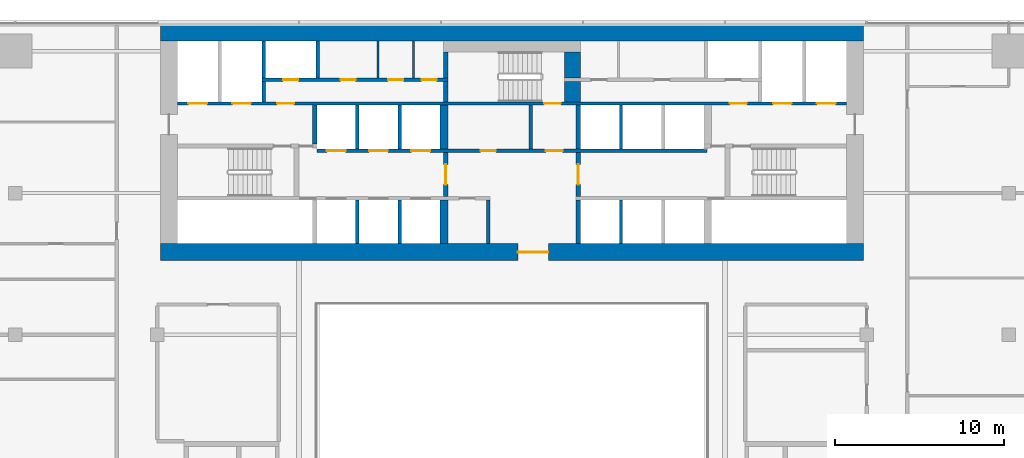
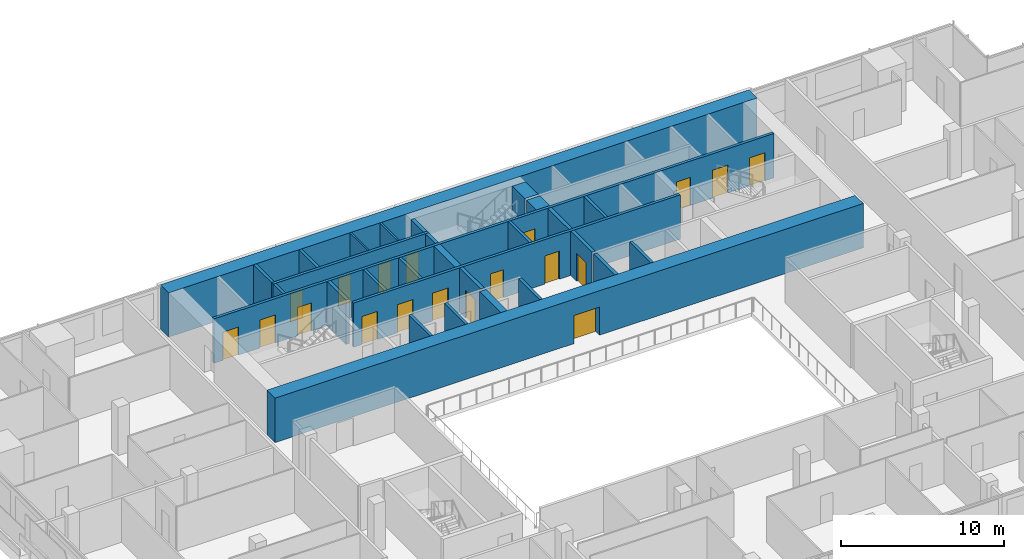
# One storey, part 21 of 27: 29 walls, 19 doors, 19 openings.
"""IFC4 building model written with IfcOpenShell, lengths in metres."""

from ifc_helpers import new_model, si_unit, direction, frame, frame_2d, origin, place, context, subcontext, project, spatial, rectangle, extrude, material, layer, layer_set, type_object, element, fill, save


model = new_model("IFC4")

# Units and contexts
model_context = context("Model", 3, precision=1e-05, world=origin(), true_north=direction((0.0, 1.0)))
body_context = subcontext(model_context, "Body", "Model", "MODEL_VIEW")
ifc_project = project(units=[si_unit("LENGTHUNIT", "METRE"), si_unit("AREAUNIT", "SQUARE_METRE"), si_unit("VOLUMEUNIT", "CUBIC_METRE"), si_unit("PLANEANGLEUNIT", "RADIAN"), si_unit("MASSUNIT", "GRAM", prefix="KILO")], contexts=[model_context])

# Site, building, storey
site_placement = place(None, origin())
site = spatial("IfcSite", under=ifc_project, at=site_placement, CompositionType="ELEMENT")
building_placement = place(site_placement, origin())
building = spatial("IfcBuilding", under=site, at=building_placement, Name="Saffron Gate Tower", CompositionType="ELEMENT")
storey_placement = place(building_placement, frame((0.0, 0.0, 109.64990234375)))
storey = spatial("IfcBuildingStorey", under=building, at=storey_placement, Name="L25", CompositionType="ELEMENT", Elevation=109.64990234375)

# Walls
ifc_material_1 = material(Name="Gypsum board partition on steel studs", Category="steel")
ifc_layer_1 = layer(ifc_material_1, 0.199951171875)
ifc_layer_set_1 = layer_set([ifc_layer_1], Name="CW10 Core partition 200")
wall_type_1 = type_object("IfcWallType", Name="CW10 Core partition 200", PredefinedType="PARTITIONING", material=ifc_layer_set_1)
for number, where, z_axis, x_axis, name in (
    (1, (86.199951171875, 62.39990234375, 0.0), (0.0, 0.0, 1.0), (0.0, 1.0, 0.0), "Wall CW10-L25-9"),
    (2, (88.699951171875, 68.0, 0.0), (0.0, 0.0, 1.0), (0.0, 1.0, 0.0), "Wall CW10-L25-24"),
):
    element("IfcWall", number, at=place(storey_placement, frame(where, z_axis=z_axis, x_axis=x_axis)), inside=storey, type_object=wall_type_1, Name=name, PredefinedType="PARTITIONING", context=body_context, shape_type="SweptSolid", body=[
        extrude(rectangle(XDim=2.60009765625, YDim=0.199951171875, at=frame_2d((1.300048828125, 0.0))), origin(), (0.0, 0.0, 1.0), 3.320068359375),
    ])

# Wall, opening, door
ifc_material_2 = material(Name="Concrete C70", Category="concrete")
ifc_layer_2 = layer(ifc_material_2, 1.0)
ifc_layer_set_2 = layer_set([ifc_layer_2], Name="CW12 RC core wall 1000 C70")
wall_type_2 = type_object("IfcWallType", Name="CW12 RC core wall 1000 C70", PredefinedType="SOLIDWALL", material=ifc_layer_set_2)
wall_1_placement = place(storey_placement, frame((66.800048828125, 61.89990234375, 0.0), z_axis=(0.0, 0.0, 1.0), x_axis=(1.0, 0.0, 0.0)))
wall_1 = element("IfcWall", 3, at=wall_1_placement, inside=storey, type_object=wall_type_2, Name="Wall CW12-L25-1", PredefinedType="SOLIDWALL", context=body_context, shape_type="SweptSolid", body=[
    extrude(rectangle(XDim=41.599853515625, YDim=1.0, at=frame_2d((20.7998046875, 0.0))), origin(), (0.0, 0.0, 1.0), 3.320068359375),
])
opening_1_placement = place(wall_1_placement, frame((21.14990234375, 0.0, 0.0)))
opening_1 = element("IfcOpeningElement", 4, at=opening_1_placement, cuts=wall_1, Name="Opening CR-09", PredefinedType="OPENING", context=body_context, shape_type="SweptSolid", body=[
    extrude(rectangle(XDim=1.800048828125, YDim=2.10009765625, at=frame_2d((0.89990234375, 1.050048828125))), frame((0.0, 0.510009765625, 0.0), z_axis=(0.0, -1.0, 0.0), x_axis=(1.0, 0.0, 0.0)), (0.0, 0.0, 1.0), 1.02001953125),
])
ifc_material_3 = material(Name="Steel fire door set", Category="steel")
door_type_1 = type_object("IfcDoorType", Name="CD1 Core entrance door 1800x2100 EI 120", OperationType="NOTDEFINED", PredefinedType="DOOR", material=ifc_material_3)
door_1_placement = place(opening_1_placement, origin())
door_1 = element("IfcDoor", 5, at=door_1_placement, inside=storey, type_object=door_type_1, Name="DOOR CR-09", OperationType="DOUBLE_DOOR_SINGLE_SWING", OverallHeight=2.10009765625, OverallWidth=1.800048828125, PredefinedType="DOOR", context=body_context, shape_type="SweptSolid", body=[
    extrude(rectangle(XDim=1.800048828125, YDim=2.10009765625, at=frame_2d((0.89990234375, 1.050048828125))), frame((0.0, 0.02490234375, 0.0), z_axis=(0.0, -1.0, 0.0), x_axis=(1.0, 0.0, 0.0)), (0.0, 0.0, 1.0), 0.050048828125),
])
fill(opening_1, door_1)

# Walls
wall_2_placement = place(storey_placement, frame((66.800048828125, 74.89990234375, 0.0), z_axis=(0.0, 0.0, 1.0), x_axis=(1.0, 0.0, 0.0)))
element("IfcWall", 6, at=wall_2_placement, inside=storey, type_object=wall_type_2, Name="Wall CW12-L25-2", PredefinedType="SOLIDWALL", context=body_context, shape_type="SweptSolid", body=[
    extrude(rectangle(XDim=41.599853515625, YDim=1.0, at=frame_2d((20.7998046875, 0.0))), origin(), (0.0, 0.0, 1.0), 3.320068359375),
])
ifc_layer_3 = layer(ifc_material_2, 0.25)
ifc_layer_set_3 = layer_set([ifc_layer_3], Name="CW2 RC core wall 250 C70")
wall_type_3 = type_object("IfcWallType", Name="CW2 RC core wall 250 C70", PredefinedType="SOLIDWALL", material=ifc_layer_set_3)
wall_3_placement = place(storey_placement, frame((91.52490234375, 62.39990234375, 0.0), z_axis=(0.0, 0.0, 1.0), x_axis=(0.0, 1.0, 0.0)))
element("IfcWall", 7, at=wall_3_placement, inside=storey, type_object=wall_type_3, Name="Wall CW2-L25-10", PredefinedType="SOLIDWALL", context=body_context, shape_type="SweptSolid", body=[
    extrude(rectangle(XDim=2.60009765625, YDim=0.25, at=frame_2d((1.300048828125, 0.0))), origin(), (0.0, 0.0, 1.0), 3.320068359375),
])

# Wall, opening, door
wall_4_placement = place(storey_placement, frame((83.675048828125, 65.199951171875, 0.0), z_axis=(0.0, 0.0, 1.0), x_axis=(0.0, 1.0, 0.0)))
wall_4 = element("IfcWall", 8, at=wall_4_placement, inside=storey, type_object=wall_type_3, Name="Wall CW2-L25-17", PredefinedType="SOLIDWALL", context=body_context, shape_type="SweptSolid", body=[
    extrude(rectangle(XDim=2.60009765625, YDim=0.25, at=frame_2d((1.300048828125, 0.0))), origin(), (0.0, 0.0, 1.0), 3.320068359375),
])
opening_2_placement = place(wall_4_placement, frame((0.699951171875, 0.0, 0.0)))
opening_2 = element("IfcOpeningElement", 9, at=opening_2_placement, cuts=wall_4, Name="Opening CR-07", PredefinedType="OPENING", context=body_context, shape_type="SweptSolid", body=[
    extrude(rectangle(XDim=1.199951171875, YDim=2.10009765625, at=frame_2d((0.60009765625, 1.050048828125))), frame((0.0, 0.135009765625, 0.0), z_axis=(0.0, -1.0, 0.0), x_axis=(1.0, 0.0, 0.0)), (0.0, 0.0, 1.0), 0.27001953125),
])
door_type_2 = type_object("IfcDoorType", Name="CD3 Lobby door 1200x2100 EI 120", OperationType="NOTDEFINED", PredefinedType="DOOR", material=ifc_material_3)
door_2_placement = place(opening_2_placement, origin())
door_2 = element("IfcDoor", 10, at=door_2_placement, inside=storey, type_object=door_type_2, Name="DOOR CR-07", OperationType="SINGLE_SWING_RIGHT", OverallHeight=2.10009765625, OverallWidth=1.199951171875, PredefinedType="DOOR", context=body_context, shape_type="SweptSolid", body=[
    extrude(rectangle(XDim=1.199951171875, YDim=2.10009765625, at=frame_2d((0.60009765625, 1.050048828125))), frame((0.0, 0.02490234375, 0.0), z_axis=(0.0, -1.0, 0.0), x_axis=(1.0, 0.0, 0.0)), (0.0, 0.0, 1.0), 0.050048828125),
])
fill(opening_2, door_2)

wall_5_placement = place(storey_placement, frame((91.52490234375, 65.199951171875, 0.0), z_axis=(0.0, 0.0, 1.0), x_axis=(0.0, 1.0, 0.0)))
wall_5 = element("IfcWall", 11, at=wall_5_placement, inside=storey, type_object=wall_type_3, Name="Wall CW2-L25-18", PredefinedType="SOLIDWALL", context=body_context, shape_type="SweptSolid", body=[
    extrude(rectangle(XDim=2.60009765625, YDim=0.25, at=frame_2d((1.300048828125, 0.0))), origin(), (0.0, 0.0, 1.0), 3.320068359375),
])
opening_3_placement = place(wall_5_placement, frame((0.699951171875, 0.0, 0.0)))
opening_3 = element("IfcOpeningElement", 12, at=opening_3_placement, cuts=wall_5, Name="Opening CR-01", PredefinedType="OPENING", context=body_context, shape_type="SweptSolid", body=[
    extrude(rectangle(XDim=1.199951171875, YDim=2.10009765625, at=frame_2d((0.60009765625, 1.050048828125))), frame((0.0, 0.135009765625, 0.0), z_axis=(0.0, -1.0, 0.0), x_axis=(1.0, 0.0, 0.0)), (0.0, 0.0, 1.0), 0.27001953125),
])
door_3_placement = place(opening_3_placement, origin())
door_3 = element("IfcDoor", 13, at=door_3_placement, inside=storey, type_object=door_type_2, Name="DOOR CR-01", OperationType="SINGLE_SWING_RIGHT", OverallHeight=2.10009765625, OverallWidth=1.199951171875, PredefinedType="DOOR", context=body_context, shape_type="SweptSolid", body=[
    extrude(rectangle(XDim=1.199951171875, YDim=2.10009765625, at=frame_2d((0.60009765625, 1.050048828125))), frame((0.0, 0.02490234375, 0.0), z_axis=(0.0, -1.0, 0.0), x_axis=(1.0, 0.0, 0.0)), (0.0, 0.0, 1.0), 0.050048828125),
])
fill(opening_3, door_3)

# Walls
wall_6_placement = place(storey_placement, frame((91.52490234375, 68.0, 0.0), z_axis=(0.0, 0.0, 1.0), x_axis=(0.0, 1.0, 0.0)))
element("IfcWall", 14, at=wall_6_placement, inside=storey, type_object=wall_type_3, Name="Wall CW2-L25-25", PredefinedType="SOLIDWALL", context=body_context, shape_type="SweptSolid", body=[
    extrude(rectangle(XDim=2.60009765625, YDim=0.25, at=frame_2d((1.300048828125, 0.0))), origin(), (0.0, 0.0, 1.0), 3.320068359375),
])
wall_7_placement = place(storey_placement, frame((75.925048828125, 68.300048828125, 0.0), z_axis=(0.0, 0.0, 1.0), x_axis=(0.0, 1.0, 0.0)))
element("IfcWall", 15, at=wall_7_placement, inside=storey, type_object=wall_type_3, Name="Wall CW2-L25-31", PredefinedType="SOLIDWALL", context=body_context, shape_type="SweptSolid", body=[
    extrude(rectangle(XDim=2.300048828125, YDim=0.25, at=frame_2d((1.14990234375, 0.0))), origin(), (0.0, 0.0, 1.0), 3.320068359375),
])
wall_8_placement = place(storey_placement, frame((83.675048828125, 70.800048828125, 0.0), z_axis=(0.0, 0.0, 1.0), x_axis=(0.0, 1.0, 0.0)))
element("IfcWall", 16, at=wall_8_placement, inside=storey, type_object=wall_type_3, Name="Wall CW2-L25-36", PredefinedType="SOLIDWALL", context=body_context, shape_type="SweptSolid", body=[
    extrude(rectangle(XDim=1.199951171875, YDim=0.25, at=frame_2d((0.60009765625, 0.0))), origin(), (0.0, 0.0, 1.0), 3.320068359375),
])
wall_9_placement = place(storey_placement, frame((83.675048828125, 72.199951171875, 0.0), z_axis=(0.0, 0.0, 1.0), x_axis=(0.0, 1.0, 0.0)))
element("IfcWall", 17, at=wall_9_placement, inside=storey, type_object=wall_type_3, Name="Wall CW2-L25-46", PredefinedType="SOLIDWALL", context=body_context, shape_type="SweptSolid", body=[
    extrude(rectangle(XDim=1.550048828125, YDim=0.25, at=frame_2d((0.77490234375, 0.0))), origin(), (0.0, 0.0, 1.0), 3.320068359375),
])
ifc_layer_4 = layer(ifc_material_2, 0.199951171875)
ifc_layer_set_4 = layer_set([ifc_layer_4], Name="CW3 RC core wall 200 C70")
wall_type_4 = type_object("IfcWallType", Name="CW3 RC core wall 200 C70", PredefinedType="SOLIDWALL", material=ifc_layer_set_4)
for number, where, z_axis, x_axis, name in (
    (18, (78.449951171875, 62.39990234375, 0.0), (0.0, 0.0, 1.0), (0.0, 1.0, 0.0), "Wall CW3-L25-6"),
    (19, (80.949951171875, 62.39990234375, 0.0), (0.0, 0.0, 1.0), (0.0, 1.0, 0.0), "Wall CW3-L25-7"),
    (20, (94.050048828125, 62.39990234375, 0.0), (0.0, 0.0, 1.0), (0.0, 1.0, 0.0), "Wall CW3-L25-11"),
):
    element("IfcWall", number, at=place(storey_placement, frame(where, z_axis=z_axis, x_axis=x_axis)), inside=storey, type_object=wall_type_4, Name=name, PredefinedType="SOLIDWALL", context=body_context, shape_type="SweptSolid", body=[
        extrude(rectangle(XDim=2.60009765625, YDim=0.199951171875, at=frame_2d((1.300048828125, 0.0))), origin(), (0.0, 0.0, 1.0), 3.320068359375),
    ])

# Wall, openings, doors
wall_10_placement = place(storey_placement, frame((76.050048828125, 67.89990234375, 0.0), z_axis=(0.0, 0.0, 1.0), x_axis=(1.0, 0.0, 0.0)))
wall_10 = element("IfcWall", 21, at=wall_10_placement, inside=storey, type_object=wall_type_4, Name="Wall CW3-L25-20", PredefinedType="SOLIDWALL", context=body_context, shape_type="SweptSolid", body=[
    extrude(rectangle(XDim=23.099853515625, YDim=0.199951171875, at=frame_2d((11.5498046875, 0.0))), origin(), (0.0, 0.0, 1.0), 3.320068359375),
])
opening_4_placement = place(wall_10_placement, frame((0.60009765625, 0.0, 0.0)))
opening_4 = element("IfcOpeningElement", 22, at=opening_4_placement, cuts=wall_10, Name="Opening LD-LR4", PredefinedType="OPENING", context=body_context, shape_type="SweptSolid", body=[
    extrude(rectangle(XDim=1.10009765625, YDim=2.10009765625, at=frame_2d((0.550048828125, 1.050048828125))), frame((0.0, 0.10986328125, 0.0), z_axis=(0.0, -1.0, 0.0), x_axis=(1.0, 0.0, 0.0)), (0.0, 0.0, 1.0), 0.219970703125),
])
opening_5_placement = place(wall_10_placement, frame((3.10009765625, 0.0, 0.0)))
opening_5 = element("IfcOpeningElement", 23, at=opening_5_placement, cuts=wall_10, Name="Opening LD-LR5", PredefinedType="OPENING", context=body_context, shape_type="SweptSolid", body=[
    extrude(rectangle(XDim=1.10009765625, YDim=2.10009765625, at=frame_2d((0.550048828125, 1.050048828125))), frame((0.0, 0.10986328125, 0.0), z_axis=(0.0, -1.0, 0.0), x_axis=(1.0, 0.0, 0.0)), (0.0, 0.0, 1.0), 0.219970703125),
])
opening_6_placement = place(wall_10_placement, frame((5.60009765625, 0.0, 0.0)))
opening_6 = element("IfcOpeningElement", 24, at=opening_6_placement, cuts=wall_10, Name="Opening LD-LR6", PredefinedType="OPENING", context=body_context, shape_type="SweptSolid", body=[
    extrude(rectangle(XDim=1.10009765625, YDim=2.10009765625, at=frame_2d((0.550048828125, 1.050048828125))), frame((0.0, 0.10986328125, 0.0), z_axis=(0.0, -1.0, 0.0), x_axis=(1.0, 0.0, 0.0)), (0.0, 0.0, 1.0), 0.219970703125),
])
opening_7_placement = place(wall_10_placement, frame((9.699951171875, 0.0, 0.0)))
opening_7 = element("IfcOpeningElement", 25, at=opening_7_placement, cuts=wall_10, Name="Opening CR-67", PredefinedType="OPENING", context=body_context, shape_type="SweptSolid", body=[
    extrude(rectangle(XDim=0.89990234375, YDim=2.10009765625, at=frame_2d((0.449951171875, 1.050048828125))), frame((0.0, 0.10986328125, 0.0), z_axis=(0.0, -1.0, 0.0), x_axis=(1.0, 0.0, 0.0)), (0.0, 0.0, 1.0), 0.219970703125),
])
opening_8_placement = place(wall_10_placement, frame((13.550048828125, 0.0, 0.0)))
opening_8 = element("IfcOpeningElement", 26, at=opening_8_placement, cuts=wall_10, Name="Opening CR-02", PredefinedType="OPENING", context=body_context, shape_type="SweptSolid", body=[
    extrude(rectangle(XDim=1.0, YDim=2.10009765625, at=frame_2d((0.5, 1.050048828125))), frame((0.0, 0.10986328125, 0.0), z_axis=(0.0, -1.0, 0.0), x_axis=(1.0, 0.0, 0.0)), (0.0, 0.0, 1.0), 0.219970703125),
])
door_type_3 = type_object("IfcDoorType", Name="CD4 Lobby door 1000x2100 EI 120", OperationType="NOTDEFINED", PredefinedType="DOOR", material=ifc_material_3)
door_4_placement = place(opening_8_placement, origin())
door_4 = element("IfcDoor", 27, at=door_4_placement, inside=storey, type_object=door_type_3, Name="DOOR CR-02", OperationType="SINGLE_SWING_LEFT", OverallHeight=2.10009765625, OverallWidth=1.0, PredefinedType="DOOR", context=body_context, shape_type="SweptSolid", body=[
    extrude(rectangle(XDim=1.0, YDim=2.10009765625, at=frame_2d((0.5, 1.050048828125))), frame((0.0, 0.02490234375, 0.0), z_axis=(0.0, -1.0, 0.0), x_axis=(1.0, 0.0, 0.0)), (0.0, 0.0, 1.0), 0.050048828125),
])
fill(opening_8, door_4)
door_type_4 = type_object("IfcDoorType", Name="CD9 Room door 900x2100 EI 60", OperationType="NOTDEFINED", PredefinedType="DOOR", material=ifc_material_3)
door_5_placement = place(opening_7_placement, origin())
door_5 = element("IfcDoor", 28, at=door_5_placement, inside=storey, type_object=door_type_4, Name="DOOR CR-67", OperationType="SINGLE_SWING_LEFT", OverallHeight=2.10009765625, OverallWidth=0.89990234375, PredefinedType="DOOR", context=body_context, shape_type="SweptSolid", body=[
    extrude(rectangle(XDim=0.89990234375, YDim=2.10009765625, at=frame_2d((0.449951171875, 1.050048828125))), frame((0.0, 0.02490234375, 0.0), z_axis=(0.0, -1.0, 0.0), x_axis=(1.0, 0.0, 0.0)), (0.0, 0.0, 1.0), 0.050048828125),
])
fill(opening_7, door_5)
ifc_material_4 = material(Name="Stainless steel landing door", Category="steel")
door_type_5 = type_object("IfcDoorType", Name="LD Lift landing door 1100x2100 EI 120", OperationType="SLIDING_TO_LEFT", PredefinedType="DOOR", material=ifc_material_4)
door_6_placement = place(opening_4_placement, origin())
door_6 = element("IfcDoor", 29, at=door_6_placement, inside=storey, type_object=door_type_5, Name="LANDING DOOR LD-LR4", OperationType="SLIDING_TO_RIGHT", OverallHeight=2.10009765625, OverallWidth=1.10009765625, PredefinedType="DOOR", context=body_context, shape_type="SweptSolid", body=[
    extrude(rectangle(XDim=1.10009765625, YDim=2.10009765625, at=frame_2d((0.550048828125, 1.050048828125))), frame((0.0, 0.02490234375, 0.0), z_axis=(0.0, -1.0, 0.0), x_axis=(1.0, 0.0, 0.0)), (0.0, 0.0, 1.0), 0.050048828125),
])
fill(opening_4, door_6)
door_7_placement = place(opening_5_placement, origin())
door_7 = element("IfcDoor", 30, at=door_7_placement, inside=storey, type_object=door_type_5, Name="LANDING DOOR LD-LR5", OperationType="SLIDING_TO_RIGHT", OverallHeight=2.10009765625, OverallWidth=1.10009765625, PredefinedType="DOOR", context=body_context, shape_type="SweptSolid", body=[
    extrude(rectangle(XDim=1.10009765625, YDim=2.10009765625, at=frame_2d((0.550048828125, 1.050048828125))), frame((0.0, 0.02490234375, 0.0), z_axis=(0.0, -1.0, 0.0), x_axis=(1.0, 0.0, 0.0)), (0.0, 0.0, 1.0), 0.050048828125),
])
fill(opening_5, door_7)
door_8_placement = place(opening_6_placement, origin())
door_8 = element("IfcDoor", 31, at=door_8_placement, inside=storey, type_object=door_type_5, Name="LANDING DOOR LD-LR6", OperationType="SLIDING_TO_RIGHT", OverallHeight=2.10009765625, OverallWidth=1.10009765625, PredefinedType="DOOR", context=body_context, shape_type="SweptSolid", body=[
    extrude(rectangle(XDim=1.10009765625, YDim=2.10009765625, at=frame_2d((0.550048828125, 1.050048828125))), frame((0.0, 0.02490234375, 0.0), z_axis=(0.0, -1.0, 0.0), x_axis=(1.0, 0.0, 0.0)), (0.0, 0.0, 1.0), 0.050048828125),
])
fill(opening_6, door_8)

# Walls
for number, where, z_axis, x_axis, name in (
    (32, (78.449951171875, 68.0, 0.0), (0.0, 0.0, 1.0), (0.0, 1.0, 0.0), "Wall CW3-L25-21"),
    (33, (80.949951171875, 68.0, 0.0), (0.0, 0.0, 1.0), (0.0, 1.0, 0.0), "Wall CW3-L25-22"),
    (34, (94.050048828125, 68.0, 0.0), (0.0, 0.0, 1.0), (0.0, 1.0, 0.0), "Wall CW3-L25-26"),
):
    element("IfcWall", number, at=place(storey_placement, frame(where, z_axis=z_axis, x_axis=x_axis)), inside=storey, type_object=wall_type_4, Name=name, PredefinedType="SOLIDWALL", context=body_context, shape_type="SweptSolid", body=[
        extrude(rectangle(XDim=2.60009765625, YDim=0.199951171875, at=frame_2d((1.300048828125, 0.0))), origin(), (0.0, 0.0, 1.0), 3.320068359375),
    ])

# Wall, openings, doors
wall_11_placement = place(storey_placement, frame((67.800048828125, 70.699951171875, 0.0), z_axis=(0.0, 0.0, 1.0), x_axis=(1.0, 0.0, 0.0)))
wall_11 = element("IfcWall", 35, at=wall_11_placement, inside=storey, type_object=wall_type_4, Name="Wall CW3-L25-33", PredefinedType="SOLIDWALL", context=body_context, shape_type="SweptSolid", body=[
    extrude(rectangle(XDim=39.599853515625, YDim=0.199951171875, at=frame_2d((19.7998046875, 0.0))), origin(), (0.0, 0.0, 1.0), 3.320068359375),
])
opening_9_placement = place(wall_11_placement, frame((0.64990234375, 0.0, 0.0)))
opening_9 = element("IfcOpeningElement", 36, at=opening_9_placement, cuts=wall_11, Name="Opening LD-FF1", PredefinedType="OPENING", context=body_context, shape_type="SweptSolid", body=[
    extrude(rectangle(XDim=1.10009765625, YDim=2.10009765625, at=frame_2d((0.550048828125, 1.050048828125))), frame((0.0, 0.10986328125, 0.0), z_axis=(0.0, -1.0, 0.0), x_axis=(1.0, 0.0, 0.0)), (0.0, 0.0, 1.0), 0.219970703125),
])
opening_10_placement = place(wall_11_placement, frame((3.25, 0.0, 0.0)))
opening_10 = element("IfcOpeningElement", 37, at=opening_10_placement, cuts=wall_11, Name="Opening LD-SV1", PredefinedType="OPENING", context=body_context, shape_type="SweptSolid", body=[
    extrude(rectangle(XDim=1.10009765625, YDim=2.10009765625, at=frame_2d((0.550048828125, 1.050048828125))), frame((0.0, 0.10986328125, 0.0), z_axis=(0.0, -1.0, 0.0), x_axis=(1.0, 0.0, 0.0)), (0.0, 0.0, 1.0), 0.219970703125),
])
opening_11_placement = place(wall_11_placement, frame((5.89990234375, 0.0, 0.0)))
opening_11 = element("IfcOpeningElement", 38, at=opening_11_placement, cuts=wall_11, Name="Opening CR-03", PredefinedType="OPENING", context=body_context, shape_type="SweptSolid", body=[
    extrude(rectangle(XDim=1.0, YDim=2.10009765625, at=frame_2d((0.5, 1.050048828125))), frame((0.0, 0.10986328125, 0.0), z_axis=(0.0, -1.0, 0.0), x_axis=(1.0, 0.0, 0.0)), (0.0, 0.0, 1.0), 0.219970703125),
])
opening_12_placement = place(wall_11_placement, frame((21.699951171875, 0.0, 0.0)))
opening_12 = element("IfcOpeningElement", 39, at=opening_12_placement, cuts=wall_11, Name="Opening CR-17", PredefinedType="OPENING", context=body_context, shape_type="SweptSolid", body=[
    extrude(rectangle(XDim=1.0, YDim=2.10009765625, at=frame_2d((0.5, 1.050048828125))), frame((0.0, 0.10986328125, 0.0), z_axis=(0.0, -1.0, 0.0), x_axis=(1.0, 0.0, 0.0)), (0.0, 0.0, 1.0), 0.219970703125),
])
opening_13_placement = place(wall_11_placement, frame((32.699951171875, 0.0, 0.0)))
opening_13 = element("IfcOpeningElement", 40, at=opening_13_placement, cuts=wall_11, Name="Opening CR-04", PredefinedType="OPENING", context=body_context, shape_type="SweptSolid", body=[
    extrude(rectangle(XDim=1.0, YDim=2.10009765625, at=frame_2d((0.5, 1.050048828125))), frame((0.0, 0.10986328125, 0.0), z_axis=(0.0, -1.0, 0.0), x_axis=(1.0, 0.0, 0.0)), (0.0, 0.0, 1.0), 0.219970703125),
])
opening_14_placement = place(wall_11_placement, frame((35.25, 0.0, 0.0)))
opening_14 = element("IfcOpeningElement", 41, at=opening_14_placement, cuts=wall_11, Name="Opening LD-SV2", PredefinedType="OPENING", context=body_context, shape_type="SweptSolid", body=[
    extrude(rectangle(XDim=1.10009765625, YDim=2.10009765625, at=frame_2d((0.550048828125, 1.050048828125))), frame((0.0, 0.10986328125, 0.0), z_axis=(0.0, -1.0, 0.0), x_axis=(1.0, 0.0, 0.0)), (0.0, 0.0, 1.0), 0.219970703125),
])
opening_15_placement = place(wall_11_placement, frame((37.85009765625, 0.0, 0.0)))
opening_15 = element("IfcOpeningElement", 42, at=opening_15_placement, cuts=wall_11, Name="Opening LD-FF2", PredefinedType="OPENING", context=body_context, shape_type="SweptSolid", body=[
    extrude(rectangle(XDim=1.10009765625, YDim=2.10009765625, at=frame_2d((0.550048828125, 1.050048828125))), frame((0.0, 0.10986328125, 0.0), z_axis=(0.0, -1.0, 0.0), x_axis=(1.0, 0.0, 0.0)), (0.0, 0.0, 1.0), 0.219970703125),
])
door_9_placement = place(opening_11_placement, origin())
door_9 = element("IfcDoor", 43, at=door_9_placement, inside=storey, type_object=door_type_3, Name="DOOR CR-03", OperationType="SINGLE_SWING_LEFT", OverallHeight=2.10009765625, OverallWidth=1.0, PredefinedType="DOOR", context=body_context, shape_type="SweptSolid", body=[
    extrude(rectangle(XDim=1.0, YDim=2.10009765625, at=frame_2d((0.5, 1.050048828125))), frame((0.0, 0.02490234375, 0.0), z_axis=(0.0, -1.0, 0.0), x_axis=(1.0, 0.0, 0.0)), (0.0, 0.0, 1.0), 0.050048828125),
])
fill(opening_11, door_9)
door_10_placement = place(opening_13_placement, origin())
door_10 = element("IfcDoor", 44, at=door_10_placement, inside=storey, type_object=door_type_3, Name="DOOR CR-04", OperationType="SINGLE_SWING_RIGHT", OverallHeight=2.10009765625, OverallWidth=1.0, PredefinedType="DOOR", context=body_context, shape_type="SweptSolid", body=[
    extrude(rectangle(XDim=1.0, YDim=2.10009765625, at=frame_2d((0.5, 1.050048828125))), frame((0.0, 0.02490234375, 0.0), z_axis=(0.0, -1.0, 0.0), x_axis=(1.0, 0.0, 0.0)), (0.0, 0.0, 1.0), 0.050048828125),
])
fill(opening_13, door_10)
door_type_6 = type_object("IfcDoorType", Name="CD5 Stair door 1000x2100 EI 120", OperationType="NOTDEFINED", PredefinedType="DOOR", material=ifc_material_3)
door_11_placement = place(opening_12_placement, origin())
door_11 = element("IfcDoor", 45, at=door_11_placement, inside=storey, type_object=door_type_6, Name="DOOR CR-17", OperationType="SINGLE_SWING_RIGHT", OverallHeight=2.10009765625, OverallWidth=1.0, PredefinedType="DOOR", context=body_context, shape_type="SweptSolid", body=[
    extrude(rectangle(XDim=1.0, YDim=2.10009765625, at=frame_2d((0.5, 1.050048828125))), frame((0.0, 0.02490234375, 0.0), z_axis=(0.0, -1.0, 0.0), x_axis=(1.0, 0.0, 0.0)), (0.0, 0.0, 1.0), 0.050048828125),
])
fill(opening_12, door_11)
door_12_placement = place(opening_9_placement, origin())
door_12 = element("IfcDoor", 46, at=door_12_placement, inside=storey, type_object=door_type_5, Name="LANDING DOOR LD-FF1", OperationType="SLIDING_TO_RIGHT", OverallHeight=2.10009765625, OverallWidth=1.10009765625, PredefinedType="DOOR", context=body_context, shape_type="SweptSolid", body=[
    extrude(rectangle(XDim=1.10009765625, YDim=2.10009765625, at=frame_2d((0.550048828125, 1.050048828125))), frame((0.0, 0.02490234375, 0.0), z_axis=(0.0, -1.0, 0.0), x_axis=(1.0, 0.0, 0.0)), (0.0, 0.0, 1.0), 0.050048828125),
])
fill(opening_9, door_12)
door_13_placement = place(opening_10_placement, origin())
door_13 = element("IfcDoor", 47, at=door_13_placement, inside=storey, type_object=door_type_5, Name="LANDING DOOR LD-SV1", OperationType="SLIDING_TO_RIGHT", OverallHeight=2.10009765625, OverallWidth=1.10009765625, PredefinedType="DOOR", context=body_context, shape_type="SweptSolid", body=[
    extrude(rectangle(XDim=1.10009765625, YDim=2.10009765625, at=frame_2d((0.550048828125, 1.050048828125))), frame((0.0, 0.02490234375, 0.0), z_axis=(0.0, -1.0, 0.0), x_axis=(1.0, 0.0, 0.0)), (0.0, 0.0, 1.0), 0.050048828125),
])
fill(opening_10, door_13)
door_14_placement = place(opening_14_placement, origin())
door_14 = element("IfcDoor", 48, at=door_14_placement, inside=storey, type_object=door_type_5, Name="LANDING DOOR LD-SV2", OperationType="SLIDING_TO_RIGHT", OverallHeight=2.10009765625, OverallWidth=1.10009765625, PredefinedType="DOOR", context=body_context, shape_type="SweptSolid", body=[
    extrude(rectangle(XDim=1.10009765625, YDim=2.10009765625, at=frame_2d((0.550048828125, 1.050048828125))), frame((0.0, 0.02490234375, 0.0), z_axis=(0.0, -1.0, 0.0), x_axis=(1.0, 0.0, 0.0)), (0.0, 0.0, 1.0), 0.050048828125),
])
fill(opening_14, door_14)
door_15_placement = place(opening_15_placement, origin())
door_15 = element("IfcDoor", 49, at=door_15_placement, inside=storey, type_object=door_type_5, Name="LANDING DOOR LD-FF2", OperationType="SLIDING_TO_RIGHT", OverallHeight=2.10009765625, OverallWidth=1.10009765625, PredefinedType="DOOR", context=body_context, shape_type="SweptSolid", body=[
    extrude(rectangle(XDim=1.10009765625, YDim=2.10009765625, at=frame_2d((0.550048828125, 1.050048828125))), frame((0.0, 0.02490234375, 0.0), z_axis=(0.0, -1.0, 0.0), x_axis=(1.0, 0.0, 0.0)), (0.0, 0.0, 1.0), 0.050048828125),
])
fill(opening_15, door_15)

# Wall
wall_12_placement = place(storey_placement, frame((72.89990234375, 70.800048828125, 0.0), z_axis=(0.0, 0.0, 1.0), x_axis=(0.0, 1.0, 0.0)))
element("IfcWall", 50, at=wall_12_placement, inside=storey, type_object=wall_type_4, Name="Wall CW3-L25-35", PredefinedType="SOLIDWALL", context=body_context, shape_type="SweptSolid", body=[
    extrude(rectangle(XDim=1.199951171875, YDim=0.199951171875, at=frame_2d((0.60009765625, 0.0))), origin(), (0.0, 0.0, 1.0), 3.320068359375),
])

# Wall, openings, doors
wall_13_placement = place(storey_placement, frame((72.800048828125, 72.10009765625, 0.0), z_axis=(0.0, 0.0, 1.0), x_axis=(1.0, 0.0, 0.0)))
wall_13 = element("IfcWall", 51, at=wall_13_placement, inside=storey, type_object=wall_type_4, Name="Wall CW3-L25-40", PredefinedType="SOLIDWALL", context=body_context, shape_type="SweptSolid", body=[
    extrude(rectangle(XDim=11.0, YDim=0.199951171875, at=frame_2d((5.5, 0.0))), origin(), (0.0, 0.0, 1.0), 3.320068359375),
])
opening_16_placement = place(wall_13_placement, frame((1.25, 0.0, 0.0)))
opening_16 = element("IfcOpeningElement", 52, at=opening_16_placement, cuts=wall_13, Name="Opening CR-71", PredefinedType="OPENING", context=body_context, shape_type="SweptSolid", body=[
    extrude(rectangle(XDim=0.89990234375, YDim=2.10009765625, at=frame_2d((0.449951171875, 1.050048828125))), frame((0.0, 0.10986328125, 0.0), z_axis=(0.0, -1.0, 0.0), x_axis=(1.0, 0.0, 0.0)), (0.0, 0.0, 1.0), 0.219970703125),
])
opening_17_placement = place(wall_13_placement, frame((4.64990234375, 0.0, 0.0)))
opening_17 = element("IfcOpeningElement", 53, at=opening_17_placement, cuts=wall_13, Name="Opening CR-55", PredefinedType="OPENING", context=body_context, shape_type="SweptSolid", body=[
    extrude(rectangle(XDim=0.89990234375, YDim=2.10009765625, at=frame_2d((0.449951171875, 1.050048828125))), frame((0.0, 0.10986328125, 0.0), z_axis=(0.0, -1.0, 0.0), x_axis=(1.0, 0.0, 0.0)), (0.0, 0.0, 1.0), 0.219970703125),
])
opening_18_placement = place(wall_13_placement, frame((7.469970703125, 0.0, 0.0)))
opening_18 = element("IfcOpeningElement", 54, at=opening_18_placement, cuts=wall_13, Name="Opening CR-58", PredefinedType="OPENING", context=body_context, shape_type="SweptSolid", body=[
    extrude(rectangle(XDim=0.89990234375, YDim=2.10009765625, at=frame_2d((0.449951171875, 1.050048828125))), frame((0.0, 0.10986328125, 0.0), z_axis=(0.0, -1.0, 0.0), x_axis=(1.0, 0.0, 0.0)), (0.0, 0.0, 1.0), 0.219970703125),
])
opening_19_placement = place(wall_13_placement, frame((9.445068359375, 0.0, 0.0)))
opening_19 = element("IfcOpeningElement", 55, at=opening_19_placement, cuts=wall_13, Name="Opening CR-59", PredefinedType="OPENING", context=body_context, shape_type="SweptSolid", body=[
    extrude(rectangle(XDim=0.89990234375, YDim=2.10009765625, at=frame_2d((0.449951171875, 1.050048828125))), frame((0.0, 0.10986328125, 0.0), z_axis=(0.0, -1.0, 0.0), x_axis=(1.0, 0.0, 0.0)), (0.0, 0.0, 1.0), 0.219970703125),
])
door_type_7 = type_object("IfcDoorType", Name="CD2 Riser door 900x2100 EI 60", OperationType="NOTDEFINED", PredefinedType="DOOR", material=ifc_material_3)
door_16_placement = place(opening_16_placement, origin())
door_16 = element("IfcDoor", 56, at=door_16_placement, inside=storey, type_object=door_type_7, Name="DOOR CR-71", OperationType="SINGLE_SWING_LEFT", OverallHeight=2.10009765625, OverallWidth=0.89990234375, PredefinedType="DOOR", context=body_context, shape_type="SweptSolid", body=[
    extrude(rectangle(XDim=0.89990234375, YDim=2.10009765625, at=frame_2d((0.449951171875, 1.050048828125))), frame((0.0, 0.02490234375, 0.0), z_axis=(0.0, -1.0, 0.0), x_axis=(1.0, 0.0, 0.0)), (0.0, 0.0, 1.0), 0.050048828125),
])
fill(opening_16, door_16)
door_17_placement = place(opening_17_placement, origin())
door_17 = element("IfcDoor", 57, at=door_17_placement, inside=storey, type_object=door_type_4, Name="DOOR CR-55", OperationType="SINGLE_SWING_LEFT", OverallHeight=2.10009765625, OverallWidth=0.89990234375, PredefinedType="DOOR", context=body_context, shape_type="SweptSolid", body=[
    extrude(rectangle(XDim=0.89990234375, YDim=2.10009765625, at=frame_2d((0.449951171875, 1.050048828125))), frame((0.0, 0.02490234375, 0.0), z_axis=(0.0, -1.0, 0.0), x_axis=(1.0, 0.0, 0.0)), (0.0, 0.0, 1.0), 0.050048828125),
])
fill(opening_17, door_17)
door_18_placement = place(opening_18_placement, origin())
door_18 = element("IfcDoor", 58, at=door_18_placement, inside=storey, type_object=door_type_4, Name="DOOR CR-58", OperationType="SINGLE_SWING_LEFT", OverallHeight=2.10009765625, OverallWidth=0.89990234375, PredefinedType="DOOR", context=body_context, shape_type="SweptSolid", body=[
    extrude(rectangle(XDim=0.89990234375, YDim=2.10009765625, at=frame_2d((0.449951171875, 1.050048828125))), frame((0.0, 0.02490234375, 0.0), z_axis=(0.0, -1.0, 0.0), x_axis=(1.0, 0.0, 0.0)), (0.0, 0.0, 1.0), 0.050048828125),
])
fill(opening_18, door_18)
door_19_placement = place(opening_19_placement, origin())
door_19 = element("IfcDoor", 59, at=door_19_placement, inside=storey, type_object=door_type_4, Name="DOOR CR-59", OperationType="SINGLE_SWING_LEFT", OverallHeight=2.10009765625, OverallWidth=0.89990234375, PredefinedType="DOOR", context=body_context, shape_type="SweptSolid", body=[
    extrude(rectangle(XDim=0.89990234375, YDim=2.10009765625, at=frame_2d((0.449951171875, 1.050048828125))), frame((0.0, 0.02490234375, 0.0), z_axis=(0.0, -1.0, 0.0), x_axis=(1.0, 0.0, 0.0)), (0.0, 0.0, 1.0), 0.050048828125),
])
fill(opening_19, door_19)

# Walls
for number, where, z_axis, x_axis, name in (
    (60, (72.89990234375, 72.199951171875, 0.0), (0.0, 0.0, 1.0), (0.0, 1.0, 0.0), "Wall CW3-L25-42"),
    (61, (76.10009765625, 72.199951171875, 0.0), (0.0, 0.0, 1.0), (0.0, 1.0, 0.0), "Wall CW3-L25-43"),
):
    element("IfcWall", number, at=place(storey_placement, frame(where, z_axis=z_axis, x_axis=x_axis)), inside=storey, type_object=wall_type_4, Name=name, PredefinedType="SOLIDWALL", context=body_context, shape_type="SweptSolid", body=[
        extrude(rectangle(XDim=2.199951171875, YDim=0.199951171875, at=frame_2d((1.10009765625, 0.0))), origin(), (0.0, 0.0, 1.0), 3.320068359375),
    ])
ifc_layer_5 = layer(ifc_material_2, 0.449951171875)
ifc_layer_set_5 = layer_set([ifc_layer_5], Name="CW4 RC core wall 450 C70")
wall_type_5 = type_object("IfcWallType", Name="CW4 RC core wall 450 C70", PredefinedType="SOLIDWALL", material=ifc_layer_set_5)
for number, where, z_axis, x_axis, name in (
    (62, (83.574951171875, 62.39990234375, 0.0), (0.0, 0.0, 1.0), (0.0, 1.0, 0.0), "Wall CW4-L25-8"),
    (63, (83.574951171875, 68.0, 0.0), (0.0, 0.0, 1.0), (0.0, 1.0, 0.0), "Wall CW4-L25-23"),
):
    element("IfcWall", number, at=place(storey_placement, frame(where, z_axis=z_axis, x_axis=x_axis)), inside=storey, type_object=wall_type_5, Name=name, PredefinedType="SOLIDWALL", context=body_context, shape_type="SweptSolid", body=[
        extrude(rectangle(XDim=2.60009765625, YDim=0.449951171875, at=frame_2d((1.300048828125, 0.0))), origin(), (0.0, 0.0, 1.0), 3.320068359375),
    ])
ifc_layer_6 = layer(ifc_material_2, 0.949951171875)
ifc_layer_set_6 = layer_set([ifc_layer_6], Name="CW7 RC core wall 950 C70")
wall_type_6 = type_object("IfcWallType", Name="CW7 RC core wall 950 C70", PredefinedType="SOLIDWALL", material=ifc_layer_set_6)
wall_14_placement = place(storey_placement, frame((91.175048828125, 70.800048828125, 0.0), z_axis=(0.0, 0.0, 1.0), x_axis=(0.0, 1.0, 0.0)))
element("IfcWall", 64, at=wall_14_placement, inside=storey, type_object=wall_type_6, Name="Wall CW7-L25-37", PredefinedType="SOLIDWALL", context=body_context, shape_type="SweptSolid", body=[
    extrude(rectangle(XDim=1.199951171875, YDim=0.949951171875, at=frame_2d((0.60009765625, 0.0))), origin(), (0.0, 0.0, 1.0), 3.320068359375),
])
wall_15_placement = place(storey_placement, frame((91.175048828125, 72.199951171875, 0.0), z_axis=(0.0, 0.0, 1.0), x_axis=(0.0, 1.0, 0.0)))
element("IfcWall", 65, at=wall_15_placement, inside=storey, type_object=wall_type_6, Name="Wall CW7-L25-47", PredefinedType="SOLIDWALL", context=body_context, shape_type="SweptSolid", body=[
    extrude(rectangle(XDim=1.550048828125, YDim=0.949951171875, at=frame_2d((0.77490234375, 0.0))), origin(), (0.0, 0.0, 1.0), 3.320068359375),
])
ifc_layer_7 = layer(ifc_material_1, 0.1201171875)
ifc_layer_set_7 = layer_set([ifc_layer_7], Name="CW8 Core partition 120")
wall_type_7 = type_object("IfcWallType", Name="CW8 Core partition 120", PredefinedType="PARTITIONING", material=ifc_layer_set_7)
for number, where, z_axis, x_axis, name in (
    (66, (79.659912109375, 72.199951171875, 0.0), (0.0, 0.0, 1.0), (0.0, 1.0, 0.0), "Wall CW8-L25-44"),
    (67, (81.780029296875, 72.199951171875, 0.0), (0.0, 0.0, 1.0), (0.0, 1.0, 0.0), "Wall CW8-L25-45"),
):
    element("IfcWall", number, at=place(storey_placement, frame(where, z_axis=z_axis, x_axis=x_axis)), inside=storey, type_object=wall_type_7, Name=name, PredefinedType="PARTITIONING", context=body_context, shape_type="SweptSolid", body=[
        extrude(rectangle(XDim=2.199951171875, YDim=0.1201171875, at=frame_2d((1.10009765625, 0.0))), origin(), (0.0, 0.0, 1.0), 3.320068359375),
    ])

save(model, "model.ifc")
